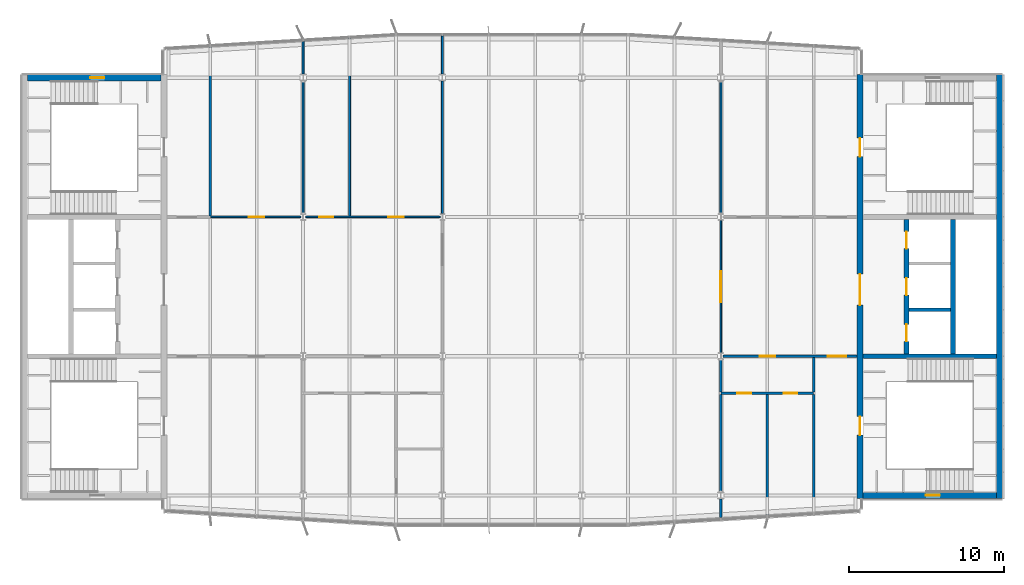
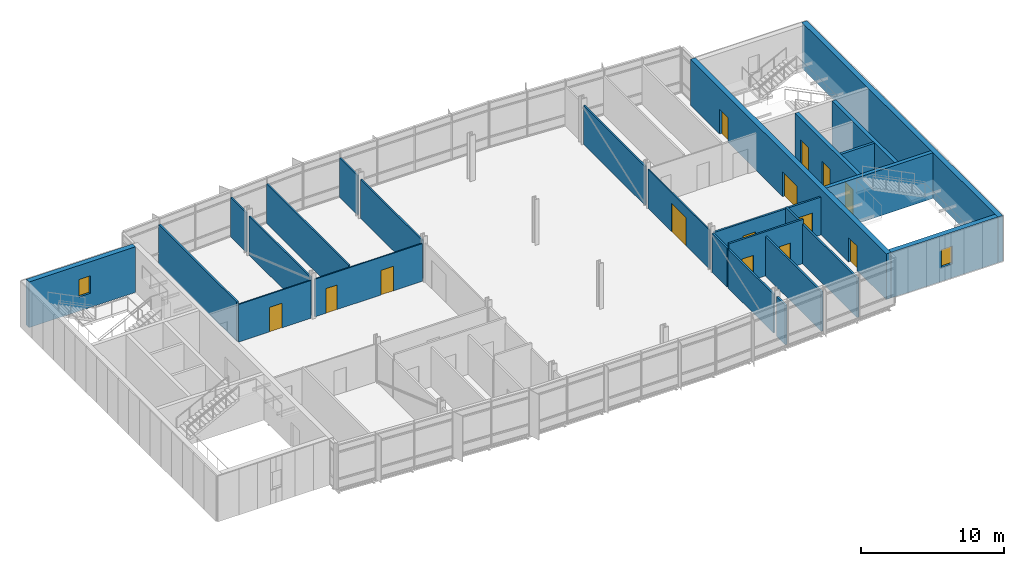
# One storey, part 15 of 20: 26 walls, 14 doors, 2 windows, 16 openings.
"""IFC4 building model written with IfcOpenShell, lengths in metres."""

from ifc_helpers import new_model, si_unit, direction, frame, frame_2d, origin, place, context, subcontext, project, spatial, rectangle, extrude, material, layer, layer_set, type_object, element, fill, save


model = new_model("IFC4")

# Units and contexts
model_context = context("Model", 3, precision=1e-05, world=origin(), true_north=direction((0.0, 1.0)))
body_context = subcontext(model_context, "Body", "Model", "MODEL_VIEW")
ifc_project = project(units=[si_unit("LENGTHUNIT", "METRE"), si_unit("AREAUNIT", "SQUARE_METRE"), si_unit("VOLUMEUNIT", "CUBIC_METRE"), si_unit("PLANEANGLEUNIT", "RADIAN"), si_unit("MASSUNIT", "GRAM", prefix="KILO")], contexts=[model_context])

# Site, building, storey
site_placement = place(None, origin())
site = spatial("IfcSite", under=ifc_project, at=site_placement, CompositionType="ELEMENT")
building_placement = place(site_placement, origin())
building = spatial("IfcBuilding", under=site, at=building_placement, Name="Azimuth Sports and Learning Centre", CompositionType="ELEMENT")
storey_placement = place(building_placement, frame((0.0, 0.0, 44.10009765625)))
storey = spatial("IfcBuildingStorey", under=building, at=storey_placement, Name="L09", CompositionType="ELEMENT", Elevation=44.10009765625)

# Wall
ifc_material_1 = material(Name="Dense masonry blockwork", Category="masonry")
ifc_layer_1 = layer(ifc_material_1, 0.199951171875)
ifc_layer_set_1 = layer_set([ifc_layer_1], Name="Dense masonry blockwork")
wall_type_1 = type_object("IfcWallType", Name="Blockwork wall 200 EI 120", PredefinedType="SOLIDWALL", material=ifc_layer_set_1)
wall_1_placement = place(storey_placement, frame((111.14990234375, 102.0, 0.0), z_axis=(0.0, 0.0, 1.0), x_axis=(1.0, 0.0, 0.0)))
element("IfcWall", 1, at=wall_1_placement, inside=storey, type_object=wall_type_1, Name="SD-E-1-L09", PredefinedType="SOLIDWALL", context=body_context, shape_type="SweptSolid", body=[
    extrude(rectangle(XDim=2.7001953125, YDim=0.199951171875, at=frame_2d((1.35009765625, 0.0))), origin(), (0.0, 0.0, 1.0), 3.89990234375),
])

# Wall, opening, door
ifc_material_2 = material(Name="Gypsum board on steel studs", Category="steel")
ifc_layer_2 = layer(ifc_material_2, 0.10009765625)
ifc_layer_set_2 = layer_set([ifc_layer_2], Name="Gypsum board on steel studs")
wall_type_2 = type_object("IfcWallType", Name="Partition 100 EI 30", PredefinedType="PARTITIONING", material=ifc_layer_set_2)
wall_2_placement = place(storey_placement, frame((66.0, 108.0, 0.0), z_axis=(0.0, 0.0, 1.0), x_axis=(1.0, 0.0, 0.0)))
wall_2 = element("IfcWall", 2, at=wall_2_placement, inside=storey, type_object=wall_type_2, Name="Partition Group Study Room 09.17 / Librarian Office 09.18", PredefinedType="PARTITIONING", context=body_context, shape_type="SweptSolid", body=[
    extrude(rectangle(XDim=5.846435546875, YDim=0.10009765625, at=frame_2d((2.92333984375, 0.0))), origin(), (0.0, 0.0, 1.0), 3.219970703125),
])
opening_1_placement = place(wall_2_placement, frame((2.5, 0.0, 0.0)))
opening_1 = element("IfcOpeningElement", 3, at=opening_1_placement, cuts=wall_2, Name="Opening D09-020", PredefinedType="OPENING", context=body_context, shape_type="SweptSolid", body=[
    extrude(rectangle(XDim=1.0, YDim=2.10009765625, at=frame_2d((0.5, 1.050048828125))), frame((0.0, 0.06103515625, 0.0), z_axis=(0.0, -1.0, 0.0), x_axis=(1.0, 0.0, 0.0)), (0.0, 0.0, 1.0), 0.1220703125),
])
ifc_material_3 = material(Name="Painted steel door set", Category="steel")
door_type_1 = type_object("IfcDoorType", Name="Fire door FD30S 1000 x 2100", OperationType="NOTDEFINED", PredefinedType="DOOR", material=ifc_material_3)
door_1_placement = place(opening_1_placement, origin())
door_1 = element("IfcDoor", 4, at=door_1_placement, inside=storey, type_object=door_type_1, Name="Door Group Study Room 09.17 / Learning Street West", OperationType="SINGLE_SWING_RIGHT", OverallHeight=2.10009765625, OverallWidth=1.0, PredefinedType="DOOR", context=body_context, shape_type="SweptSolid", body=[
    extrude(rectangle(XDim=1.0, YDim=2.10009765625, at=frame_2d((0.5, 1.050048828125))), frame((0.0, 0.02490234375, 0.0), z_axis=(0.0, -1.0, 0.0), x_axis=(1.0, 0.0, 0.0)), (0.0, 0.0, 1.0), 0.050048828125),
])
fill(opening_1, door_1)

# Wall, openings, doors
wall_3_placement = place(storey_placement, frame((72.153564453125, 108.0, 0.0), z_axis=(0.0, 0.0, 1.0), x_axis=(1.0, 0.0, 0.0)))
wall_3 = element("IfcWall", 5, at=wall_3_placement, inside=storey, type_object=wall_type_2, Name="Partition Group Study Room 09.17 / Librarian Office 09.18", PredefinedType="PARTITIONING", context=body_context, shape_type="SweptSolid", body=[
    extrude(rectangle(XDim=8.69287109375, YDim=0.10009765625, at=frame_2d((4.346435546875, 0.0))), origin(), (0.0, 0.0, 1.0), 3.219970703125),
])
opening_2_placement = place(wall_3_placement, frame((0.896484375, 0.0, 0.0)))
opening_2 = element("IfcOpeningElement", 6, at=opening_2_placement, cuts=wall_3, Name="Opening D09-021", PredefinedType="OPENING", context=body_context, shape_type="SweptSolid", body=[
    extrude(rectangle(XDim=0.89990234375, YDim=2.10009765625, at=frame_2d((0.449951171875, 1.050048828125))), frame((0.0, 0.06103515625, 0.0), z_axis=(0.0, -1.0, 0.0), x_axis=(1.0, 0.0, 0.0)), (0.0, 0.0, 1.0), 0.1220703125),
])
opening_3_placement = place(wall_3_placement, frame((5.346435546875, 0.0, 0.0)))
opening_3 = element("IfcOpeningElement", 7, at=opening_3_placement, cuts=wall_3, Name="Opening D09-022", PredefinedType="OPENING", context=body_context, shape_type="SweptSolid", body=[
    extrude(rectangle(XDim=1.0, YDim=2.10009765625, at=frame_2d((0.5, 1.050048828125))), frame((0.0, 0.06103515625, 0.0), z_axis=(0.0, -1.0, 0.0), x_axis=(1.0, 0.0, 0.0)), (0.0, 0.0, 1.0), 0.1220703125),
])
door_2_placement = place(opening_3_placement, origin())
door_2 = element("IfcDoor", 8, at=door_2_placement, inside=storey, type_object=door_type_1, Name="Door Study Room 09.19 / Learning Street West", OperationType="SINGLE_SWING_RIGHT", OverallHeight=2.10009765625, OverallWidth=1.0, PredefinedType="DOOR", context=body_context, shape_type="SweptSolid", body=[
    extrude(rectangle(XDim=1.0, YDim=2.10009765625, at=frame_2d((0.5, 1.050048828125))), frame((0.0, 0.02490234375, 0.0), z_axis=(0.0, -1.0, 0.0), x_axis=(1.0, 0.0, 0.0)), (0.0, 0.0, 1.0), 0.050048828125),
])
fill(opening_3, door_2)
ifc_material_4 = material(Name="Painted steel door set", Category="steel")
door_type_2 = type_object("IfcDoorType", Name="Fire door FD30S 900 x 2100", OperationType="NOTDEFINED", PredefinedType="DOOR", material=ifc_material_4)
door_3_placement = place(opening_2_placement, origin())
door_3 = element("IfcDoor", 9, at=door_3_placement, inside=storey, type_object=door_type_2, Name="Door Librarian Office 09.18 / Learning Street West", OperationType="SINGLE_SWING_LEFT", OverallHeight=2.10009765625, OverallWidth=0.89990234375, PredefinedType="DOOR", context=body_context, shape_type="SweptSolid", body=[
    extrude(rectangle(XDim=0.89990234375, YDim=2.10009765625, at=frame_2d((0.449951171875, 1.050048828125))), frame((0.0, 0.02490234375, 0.0), z_axis=(0.0, -1.0, 0.0), x_axis=(1.0, 0.0, 0.0)), (0.0, 0.0, 1.0), 0.050048828125),
])
fill(opening_2, door_3)

# Wall, opening, door
wall_4_placement = place(storey_placement, frame((99.0, 99.216064453125, 0.0), z_axis=(0.0, 0.0, 1.0), x_axis=(0.0, 1.0, 0.0)))
wall_4 = element("IfcWall", 10, at=wall_4_placement, inside=storey, type_object=wall_type_2, Name="Partition Library 09.13 / Learning Street East", PredefinedType="PARTITIONING", context=body_context, shape_type="SweptSolid", body=[
    extrude(rectangle(XDim=8.56787109375, YDim=0.10009765625, at=frame_2d((4.283935546875, 0.0))), origin(), (0.0, 0.0, 1.0), 3.31982421875),
])
opening_4_placement = place(wall_4_placement, frame((3.283935546875, 0.0, 0.0)))
opening_4 = element("IfcOpeningElement", 11, at=opening_4_placement, cuts=wall_4, Name="Opening D09-018", PredefinedType="OPENING", context=body_context, shape_type="SweptSolid", body=[
    extrude(rectangle(XDim=2.0, YDim=2.39990234375, at=frame_2d((1.0, 1.199951171875))), frame((0.0, 0.06103515625, 0.0), z_axis=(0.0, -1.0, 0.0), x_axis=(1.0, 0.0, 0.0)), (0.0, 0.0, 1.0), 0.1220703125),
])
ifc_material_5 = material(Name="Painted steel door set", Category="steel")
door_type_3 = type_object("IfcDoorType", Name="Fire door FD30S 2000 x 2400 double leaf", OperationType="DOUBLE_DOOR_SINGLE_SWING", PredefinedType="DOOR", material=ifc_material_5)
door_4_placement = place(opening_4_placement, origin())
door_4 = element("IfcDoor", 12, at=door_4_placement, inside=storey, type_object=door_type_3, Name="Door Library 09.13 / Learning Street East", OperationType="DOUBLE_DOOR_SINGLE_SWING", OverallHeight=2.39990234375, OverallWidth=2.0, PredefinedType="DOOR", context=body_context, shape_type="SweptSolid", body=[
    extrude(rectangle(XDim=2.0, YDim=2.39990234375, at=frame_2d((1.0, 1.199951171875))), frame((0.0, 0.02490234375, 0.0), z_axis=(0.0, -1.0, 0.0), x_axis=(1.0, 0.0, 0.0)), (0.0, 0.0, 1.0), 0.050048828125),
])
fill(opening_4, door_4)

# Walls
ifc_material_6 = material(Name="Gypsum board on steel studs, acoustic", Category="steel")
ifc_layer_3 = layer(ifc_material_6, 0.125)
ifc_layer_set_3 = layer_set([ifc_layer_3], Name="Gypsum board on steel studs, acoustic")
wall_type_3 = type_object("IfcWallType", Name="Partition 125 EI 60", PredefinedType="PARTITIONING", material=ifc_layer_set_3)
wall_5_placement = place(storey_placement, frame((72.0, 108.216064453125, 0.0), z_axis=(0.0, 0.0, 1.0), x_axis=(0.0, 1.0, 0.0)))
element("IfcWall", 13, at=wall_5_placement, inside=storey, type_object=wall_type_3, Name="Partition Group Study Room 09.17 / Librarian Office 09.18", PredefinedType="PARTITIONING", context=body_context, shape_type="SweptSolid", body=[
    extrude(rectangle(XDim=8.556396484375, YDim=0.125, at=frame_2d((4.2783203125, 0.0))), origin(), (0.0, 0.0, 1.0), 3.31982421875),
])
wall_6_placement = place(storey_placement, frame((72.0, 117.2275390625, 0.0), z_axis=(0.0, 0.0, 1.0), x_axis=(0.0, 1.0, 0.0)))
element("IfcWall", 14, at=wall_6_placement, inside=storey, type_object=wall_type_3, Name="Partition Group Study Room 09.17 / Librarian Office 09.18", PredefinedType="PARTITIONING", context=body_context, shape_type="SweptSolid", body=[
    extrude(rectangle(XDim=2.112548828125, YDim=0.125, at=frame_2d((1.05615234375, 0.0))), origin(), (0.0, 0.0, 1.0), 3.369873046875),
])
wall_7_placement = place(storey_placement, frame((75.0, 108.050048828125, 0.0), z_axis=(0.0, 0.0, 1.0), x_axis=(0.0, 1.0, 0.0)))
element("IfcWall", 15, at=wall_7_placement, inside=storey, type_object=wall_type_3, Name="Partition Librarian Office 09.18 / Study Room 09.19", PredefinedType="PARTITIONING", context=body_context, shape_type="SweptSolid", body=[
    extrude(rectangle(XDim=11.469970703125, YDim=0.125, at=frame_2d((5.73486328125, 0.0))), origin(), (0.0, 0.0, 1.0), 3.369873046875),
])
wall_8_placement = place(storey_placement, frame((81.0, 108.216064453125, 0.0), z_axis=(0.0, 0.0, 1.0), x_axis=(0.0, 1.0, 0.0)))
element("IfcWall", 16, at=wall_8_placement, inside=storey, type_object=wall_type_3, Name="Partition Library 09.13 / Study Room 09.19", PredefinedType="PARTITIONING", context=body_context, shape_type="SweptSolid", body=[
    extrude(rectangle(XDim=8.556396484375, YDim=0.125, at=frame_2d((4.2783203125, 0.0))), origin(), (0.0, 0.0, 1.0), 3.31982421875),
])
wall_9_placement = place(storey_placement, frame((81.0, 117.2275390625, 0.0), z_axis=(0.0, 0.0, 1.0), x_axis=(0.0, 1.0, 0.0)))
element("IfcWall", 17, at=wall_9_placement, inside=storey, type_object=wall_type_3, Name="Partition Library 09.13 / Study Room 09.19", PredefinedType="PARTITIONING", context=body_context, shape_type="SweptSolid", body=[
    extrude(rectangle(XDim=2.472412109375, YDim=0.125, at=frame_2d((1.236328125, 0.0))), origin(), (0.0, 0.0, 1.0), 3.369873046875),
])
wall_10_placement = place(storey_placement, frame((99.0, 108.216064453125, 0.0), z_axis=(0.0, 0.0, 1.0), x_axis=(0.0, 1.0, 0.0)))
element("IfcWall", 18, at=wall_10_placement, inside=storey, type_object=wall_type_3, Name="Partition Library 09.13 / Archive Room 09.20", PredefinedType="PARTITIONING", context=body_context, shape_type="SweptSolid", body=[
    extrude(rectangle(XDim=8.556396484375, YDim=0.125, at=frame_2d((4.2783203125, 0.0))), origin(), (0.0, 0.0, 1.0), 3.31982421875),
])

# Wall, openings, doors
ifc_material_7 = material(Name="Lightweight blockwork, rendered", Category="masonry")
ifc_layer_4 = layer(ifc_material_7, 0.14990234375)
ifc_layer_set_4 = layer_set([ifc_layer_4], Name="Lightweight blockwork, rendered")
wall_type_4 = type_object("IfcWallType", Name="Partition 150 EI 60", PredefinedType="PARTITIONING", material=ifc_layer_set_4)
wall_11_placement = place(storey_placement, frame((99.0, 96.60009765625, 0.0), z_axis=(0.0, 0.0, 1.0), x_axis=(1.0, 0.0, 0.0)))
wall_11 = element("IfcWall", 19, at=wall_11_placement, inside=storey, type_object=wall_type_4, Name="Partition WC Lobby 09.14 / Men WC 09.15", PredefinedType="PARTITIONING", context=body_context, shape_type="SweptSolid", body=[
    extrude(rectangle(XDim=6.0, YDim=0.14990234375, at=frame_2d((3.0, 0.0))), origin(), (0.0, 0.0, 1.0), 3.77001953125),
])
opening_5_placement = place(wall_11_placement, frame((1.050048828125, 0.0, 0.0)))
opening_5 = element("IfcOpeningElement", 20, at=opening_5_placement, cuts=wall_11, Name="Opening D09-029", PredefinedType="OPENING", context=body_context, shape_type="SweptSolid", body=[
    extrude(rectangle(XDim=0.89990234375, YDim=2.10009765625, at=frame_2d((0.449951171875, 1.050048828125))), frame((0.0, 0.0859375, 0.0), z_axis=(0.0, -1.0, 0.0), x_axis=(1.0, 0.0, 0.0)), (0.0, 0.0, 1.0), 0.171875),
])
opening_6_placement = place(wall_11_placement, frame((4.050048828125, 0.0, 0.0)))
opening_6 = element("IfcOpeningElement", 21, at=opening_6_placement, cuts=wall_11, Name="Opening D09-030", PredefinedType="OPENING", context=body_context, shape_type="SweptSolid", body=[
    extrude(rectangle(XDim=0.89990234375, YDim=2.10009765625, at=frame_2d((0.449951171875, 1.050048828125))), frame((0.0, 0.0859375, 0.0), z_axis=(0.0, -1.0, 0.0), x_axis=(1.0, 0.0, 0.0)), (0.0, 0.0, 1.0), 0.171875),
])
ifc_material_8 = material(Name="Painted steel door set", Category="steel")
door_type_4 = type_object("IfcDoorType", Name="Fire door FD60 900 x 2100", OperationType="NOTDEFINED", PredefinedType="DOOR", material=ifc_material_8)
door_5_placement = place(opening_5_placement, origin())
door_5 = element("IfcDoor", 22, at=door_5_placement, inside=storey, type_object=door_type_4, Name="Door WC Lobby 09.14 / Men WC 09.15", OperationType="SINGLE_SWING_LEFT", OverallHeight=2.10009765625, OverallWidth=0.89990234375, PredefinedType="DOOR", context=body_context, shape_type="SweptSolid", body=[
    extrude(rectangle(XDim=0.89990234375, YDim=2.10009765625, at=frame_2d((0.449951171875, 1.050048828125))), frame((0.0, 0.02490234375, 0.0), z_axis=(0.0, -1.0, 0.0), x_axis=(1.0, 0.0, 0.0)), (0.0, 0.0, 1.0), 0.050048828125),
])
fill(opening_5, door_5)
door_6_placement = place(opening_6_placement, origin())
door_6 = element("IfcDoor", 23, at=door_6_placement, inside=storey, type_object=door_type_4, Name="Door WC Lobby 09.14 / Women WC 09.16", OperationType="SINGLE_SWING_RIGHT", OverallHeight=2.10009765625, OverallWidth=0.89990234375, PredefinedType="DOOR", context=body_context, shape_type="SweptSolid", body=[
    extrude(rectangle(XDim=0.89990234375, YDim=2.10009765625, at=frame_2d((0.449951171875, 1.050048828125))), frame((0.0, 0.02490234375, 0.0), z_axis=(0.0, -1.0, 0.0), x_axis=(1.0, 0.0, 0.0)), (0.0, 0.0, 1.0), 0.050048828125),
])
fill(opening_6, door_6)

wall_12_placement = place(storey_placement, frame((99.153564453125, 99.0, 0.0), z_axis=(0.0, 0.0, 1.0), x_axis=(1.0, 0.0, 0.0)))
wall_12 = element("IfcWall", 24, at=wall_12_placement, inside=storey, type_object=wall_type_4, Name="Partition Stair Lobby E1 09.03 / WC Lobby 09.14", PredefinedType="PARTITIONING", context=body_context, shape_type="SweptSolid", body=[
    extrude(rectangle(XDim=8.646484375, YDim=0.14990234375, at=frame_2d((4.3232421875, 0.0))), origin(), (0.0, 0.0, 1.0), 3.219970703125),
])
opening_7_placement = place(wall_12_placement, frame((6.74658203125, 0.0, 0.0)))
opening_7 = element("IfcOpeningElement", 25, at=opening_7_placement, cuts=wall_12, Name="Opening D09-013", PredefinedType="OPENING", context=body_context, shape_type="SweptSolid", body=[
    extrude(rectangle(XDim=1.199951171875, YDim=2.10009765625, at=frame_2d((0.60009765625, 1.050048828125))), frame((0.0, 0.0859375, 0.0), z_axis=(0.0, -1.0, 0.0), x_axis=(1.0, 0.0, 0.0)), (0.0, 0.0, 1.0), 0.171875),
])
opening_8_placement = place(wall_12_placement, frame((2.346435546875, 0.0, 0.0)))
opening_8 = element("IfcOpeningElement", 26, at=opening_8_placement, cuts=wall_12, Name="Opening D09-019", PredefinedType="OPENING", context=body_context, shape_type="SweptSolid", body=[
    extrude(rectangle(XDim=1.0, YDim=2.10009765625, at=frame_2d((0.5, 1.050048828125))), frame((0.0, 0.0859375, 0.0), z_axis=(0.0, -1.0, 0.0), x_axis=(1.0, 0.0, 0.0)), (0.0, 0.0, 1.0), 0.171875),
])
ifc_material_9 = material(Name="Painted steel door set", Category="steel")
door_type_5 = type_object("IfcDoorType", Name="Fire door FD60 1000 x 2100", OperationType="NOTDEFINED", PredefinedType="DOOR", material=ifc_material_9)
door_7_placement = place(opening_8_placement, frame((1.0, 0.0, 0.0), z_axis=(0.0, 0.0, 1.0), x_axis=(-1.0, 0.0, 0.0)))
door_7 = element("IfcDoor", 27, at=door_7_placement, inside=storey, type_object=door_type_5, Name="Door WC Lobby 09.14 / Learning Street East", OperationType="SINGLE_SWING_RIGHT", OverallHeight=2.10009765625, OverallWidth=1.0, PredefinedType="DOOR", context=body_context, shape_type="SweptSolid", body=[
    extrude(rectangle(XDim=1.0, YDim=2.10009765625, at=frame_2d((0.5, 1.050048828125))), frame((0.0, 0.02490234375, 0.0), z_axis=(0.0, -1.0, 0.0), x_axis=(1.0, 0.0, 0.0)), (0.0, 0.0, 1.0), 0.050048828125),
])
fill(opening_8, door_7)
ifc_material_10 = material(Name="Painted steel door set", Category="steel")
door_type_6 = type_object("IfcDoorType", Name="Fire door FD60 1200 x 2100", OperationType="NOTDEFINED", PredefinedType="DOOR", material=ifc_material_10)
door_8_placement = place(opening_7_placement, frame((1.199951171875, 0.0, 0.0), z_axis=(0.0, 0.0, 1.0), x_axis=(-1.0, 0.0, 0.0)))
door_8 = element("IfcDoor", 28, at=door_8_placement, inside=storey, type_object=door_type_6, Name="Door Stair Lobby E1 09.03 / Learning Street East", OperationType="SINGLE_SWING_LEFT", OverallHeight=2.10009765625, OverallWidth=1.199951171875, PredefinedType="DOOR", context=body_context, shape_type="SweptSolid", body=[
    extrude(rectangle(XDim=1.199951171875, YDim=2.10009765625, at=frame_2d((0.60009765625, 1.050048828125))), frame((0.0, 0.02490234375, 0.0), z_axis=(0.0, -1.0, 0.0), x_axis=(1.0, 0.0, 0.0)), (0.0, 0.0, 1.0), 0.050048828125),
])
fill(opening_7, door_8)

# Walls
wall_13_placement = place(storey_placement, frame((66.0, 108.074951171875, 0.0), z_axis=(0.0, 0.0, 1.0), x_axis=(0.0, 1.0, 0.0)))
element("IfcWall", 29, at=wall_13_placement, inside=storey, type_object=wall_type_4, Name="Partition Stair Lobby W2 09.02 / Group Study Room 09.17", PredefinedType="PARTITIONING", context=body_context, shape_type="SweptSolid", body=[
    extrude(rectangle(XDim=10.905029296875, YDim=0.14990234375, at=frame_2d((5.45263671875, 0.0))), origin(), (0.0, 0.0, 1.0), 3.369873046875),
])
wall_14_placement = place(storey_placement, frame((99.0, 88.56005859375, 0.0), z_axis=(0.0, 0.0, 1.0), x_axis=(0.0, 1.0, 0.0)))
element("IfcWall", 30, at=wall_14_placement, inside=storey, type_object=wall_type_4, Name="Partition Library 09.13 / WC Lobby 09.14", PredefinedType="PARTITIONING", context=body_context, shape_type="SweptSolid", body=[
    extrude(rectangle(XDim=1.21240234375, YDim=0.14990234375, at=frame_2d((0.606201171875, 0.0))), origin(), (0.0, 0.0, 1.0), 3.369873046875),
])
wall_15_placement = place(storey_placement, frame((99.0, 90.2275390625, 0.0), z_axis=(0.0, 0.0, 1.0), x_axis=(0.0, 1.0, 0.0)))
element("IfcWall", 31, at=wall_15_placement, inside=storey, type_object=wall_type_4, Name="Partition Library 09.13 / WC Lobby 09.14", PredefinedType="PARTITIONING", context=body_context, shape_type="SweptSolid", body=[
    extrude(rectangle(XDim=6.29736328125, YDim=0.14990234375, at=frame_2d((3.148681640625, 0.0))), origin(), (0.0, 0.0, 1.0), 3.31982421875),
])
wall_16_placement = place(storey_placement, frame((99.0, 96.675048828125, 0.0), z_axis=(0.0, 0.0, 1.0), x_axis=(0.0, 1.0, 0.0)))
element("IfcWall", 32, at=wall_16_placement, inside=storey, type_object=wall_type_4, Name="Partition Library 09.13 / WC Lobby 09.14", PredefinedType="PARTITIONING", context=body_context, shape_type="SweptSolid", body=[
    extrude(rectangle(XDim=2.10888671875, YDim=0.14990234375, at=frame_2d((1.054443359375, 0.0))), origin(), (0.0, 0.0, 1.0), 3.31982421875),
])
wall_17_placement = place(storey_placement, frame((102.0, 88.739990234375, 0.0), z_axis=(0.0, 0.0, 1.0), x_axis=(0.0, 1.0, 0.0)))
element("IfcWall", 33, at=wall_17_placement, inside=storey, type_object=wall_type_4, Name="Partition Men WC 09.15 / Women WC 09.16", PredefinedType="PARTITIONING", context=body_context, shape_type="SweptSolid", body=[
    extrude(rectangle(XDim=7.784912109375, YDim=0.14990234375, at=frame_2d((3.892578125, 0.0))), origin(), (0.0, 0.0, 1.0), 3.369873046875),
])
wall_18_placement = place(storey_placement, frame((105.0, 88.919921875, 0.0), z_axis=(0.0, 0.0, 1.0), x_axis=(0.0, 1.0, 0.0)))
element("IfcWall", 34, at=wall_18_placement, inside=storey, type_object=wall_type_4, Name="Partition Stair Lobby E1 09.03 / WC Lobby 09.14", PredefinedType="PARTITIONING", context=body_context, shape_type="SweptSolid", body=[
    extrude(rectangle(XDim=7.60498046875, YDim=0.14990234375, at=frame_2d((3.802490234375, 0.0))), origin(), (0.0, 0.0, 1.0), 3.369873046875),
])
wall_19_placement = place(storey_placement, frame((105.0, 96.675048828125, 0.0), z_axis=(0.0, 0.0, 1.0), x_axis=(0.0, 1.0, 0.0)))
element("IfcWall", 35, at=wall_19_placement, inside=storey, type_object=wall_type_4, Name="Partition Stair Lobby E1 09.03 / WC Lobby 09.14", PredefinedType="PARTITIONING", context=body_context, shape_type="SweptSolid", body=[
    extrude(rectangle(XDim=2.25, YDim=0.14990234375, at=frame_2d((1.125, 0.0))), origin(), (0.0, 0.0, 1.0), 3.369873046875),
])
ifc_material_11 = material(Name="Concrete C40/50", Category="concrete")
ifc_layer_5 = layer(ifc_material_11, 0.300048828125)
ifc_layer_set_5 = layer_set([ifc_layer_5], Name="Concrete C40/50")
wall_type_5 = type_object("IfcWallType", Name="RC core wall 300", PredefinedType="SHEAR", material=ifc_layer_set_5)
wall_20_placement = place(storey_placement, frame((108.199951171875, 99.0, 0.0), z_axis=(0.0, 0.0, 1.0), x_axis=(1.0, 0.0, 0.0)))
element("IfcWall", 36, at=wall_20_placement, inside=storey, type_object=wall_type_5, Name="Core wall E D1 L09", PredefinedType="SHEAR", context=body_context, shape_type="SweptSolid", body=[
    extrude(rectangle(XDim=8.60009765625, YDim=0.300048828125, at=frame_2d((4.300048828125, 0.0))), origin(), (0.0, 0.0, 1.0), 3.89990234375),
])

# Wall, openings, doors
wall_21_placement = place(storey_placement, frame((111.0, 99.14990234375, 0.0), z_axis=(0.0, 0.0, 1.0), x_axis=(0.0, 1.0, 0.0)))
wall_21 = element("IfcWall", 37, at=wall_21_placement, inside=storey, type_object=wall_type_5, Name="Core wall E LB1 L09", PredefinedType="SHEAR", context=body_context, shape_type="SweptSolid", body=[
    extrude(rectangle(XDim=8.7001953125, YDim=0.300048828125, at=frame_2d((4.35009765625, 0.0))), origin(), (0.0, 0.0, 1.0), 3.89990234375),
])
opening_9_placement = place(wall_21_placement, frame((0.800048828125, 0.0, 0.0)))
opening_9 = element("IfcOpeningElement", 38, at=opening_9_placement, cuts=wall_21, Name="Opening D09-008", PredefinedType="OPENING", context=body_context, shape_type="SweptSolid", body=[
    extrude(rectangle(XDim=1.10009765625, YDim=2.10009765625, at=frame_2d((0.550048828125, 1.050048828125))), frame((0.0, 0.1611328125, 0.0), z_axis=(0.0, -1.0, 0.0), x_axis=(1.0, 0.0, 0.0)), (0.0, 0.0, 1.0), 0.322021484375),
])
opening_10_placement = place(wall_21_placement, frame((3.800048828125, 0.0, 0.0)))
opening_10 = element("IfcOpeningElement", 39, at=opening_10_placement, cuts=wall_21, Name="Opening D09-009", PredefinedType="OPENING", context=body_context, shape_type="SweptSolid", body=[
    extrude(rectangle(XDim=1.10009765625, YDim=2.10009765625, at=frame_2d((0.550048828125, 1.050048828125))), frame((0.0, 0.1611328125, 0.0), z_axis=(0.0, -1.0, 0.0), x_axis=(1.0, 0.0, 0.0)), (0.0, 0.0, 1.0), 0.322021484375),
])
opening_11_placement = place(wall_21_placement, frame((6.800048828125, 0.0, 0.0)))
opening_11 = element("IfcOpeningElement", 40, at=opening_11_placement, cuts=wall_21, Name="Opening D09-010", PredefinedType="OPENING", context=body_context, shape_type="SweptSolid", body=[
    extrude(rectangle(XDim=1.10009765625, YDim=2.10009765625, at=frame_2d((0.550048828125, 1.050048828125))), frame((0.0, 0.1611328125, 0.0), z_axis=(0.0, -1.0, 0.0), x_axis=(1.0, 0.0, 0.0)), (0.0, 0.0, 1.0), 0.322021484375),
])
ifc_material_12 = material(Name="Stainless steel", Category="steel")
door_type_7 = type_object("IfcDoorType", Name="Lift landing door 1100 x 2100", OperationType="DOUBLE_DOOR_SLIDING", PredefinedType="DOOR", material=ifc_material_12)
door_9_placement = place(opening_9_placement, origin())
door_9 = element("IfcDoor", 41, at=door_9_placement, inside=storey, type_object=door_type_7, Name="Landing door LE1 L09", OperationType="DOUBLE_DOOR_SLIDING", OverallHeight=2.10009765625, OverallWidth=1.10009765625, PredefinedType="DOOR", context=body_context, shape_type="SweptSolid", body=[
    extrude(rectangle(XDim=1.10009765625, YDim=2.10009765625, at=frame_2d((0.550048828125, 1.050048828125))), frame((0.0, 0.02490234375, 0.0), z_axis=(0.0, -1.0, 0.0), x_axis=(1.0, 0.0, 0.0)), (0.0, 0.0, 1.0), 0.050048828125),
])
fill(opening_9, door_9)
door_10_placement = place(opening_10_placement, origin())
door_10 = element("IfcDoor", 42, at=door_10_placement, inside=storey, type_object=door_type_7, Name="Landing door LE2 L09", OperationType="DOUBLE_DOOR_SLIDING", OverallHeight=2.10009765625, OverallWidth=1.10009765625, PredefinedType="DOOR", context=body_context, shape_type="SweptSolid", body=[
    extrude(rectangle(XDim=1.10009765625, YDim=2.10009765625, at=frame_2d((0.550048828125, 1.050048828125))), frame((0.0, 0.02490234375, 0.0), z_axis=(0.0, -1.0, 0.0), x_axis=(1.0, 0.0, 0.0)), (0.0, 0.0, 1.0), 0.050048828125),
])
fill(opening_10, door_10)
door_11_placement = place(opening_11_placement, origin())
door_11 = element("IfcDoor", 43, at=door_11_placement, inside=storey, type_object=door_type_7, Name="Landing door LE3 L09", OperationType="DOUBLE_DOOR_SLIDING", OverallHeight=2.10009765625, OverallWidth=1.10009765625, PredefinedType="DOOR", context=body_context, shape_type="SweptSolid", body=[
    extrude(rectangle(XDim=1.10009765625, YDim=2.10009765625, at=frame_2d((0.550048828125, 1.050048828125))), frame((0.0, 0.02490234375, 0.0), z_axis=(0.0, -1.0, 0.0), x_axis=(1.0, 0.0, 0.0)), (0.0, 0.0, 1.0), 0.050048828125),
])
fill(opening_11, door_11)

# Wall
wall_22_placement = place(storey_placement, frame((114.0, 99.14990234375, 0.0), z_axis=(0.0, 0.0, 1.0), x_axis=(0.0, 1.0, 0.0)))
element("IfcWall", 44, at=wall_22_placement, inside=storey, type_object=wall_type_5, Name="Core wall E LB2 L09", PredefinedType="SHEAR", context=body_context, shape_type="SweptSolid", body=[
    extrude(rectangle(XDim=8.7001953125, YDim=0.300048828125, at=frame_2d((4.35009765625, 0.0))), origin(), (0.0, 0.0, 1.0), 3.89990234375),
])

# Wall, openings, doors
ifc_material_13 = material(Name="Concrete C40/50", Category="concrete")
ifc_layer_6 = layer(ifc_material_13, 0.39990234375)
ifc_layer_set_6 = layer_set([ifc_layer_6], Name="Concrete C40/50")
wall_type_6 = type_object("IfcWallType", Name="RC core wall 400", PredefinedType="SHEAR", material=ifc_layer_set_6)
wall_23_placement = place(storey_placement, frame((108.0, 89.800048828125, 0.0), z_axis=(0.0, 0.0, 1.0), x_axis=(0.0, 1.0, 0.0)))
wall_23 = element("IfcWall", 45, at=wall_23_placement, inside=storey, type_object=wall_type_6, Name="Core wall E W L09", PredefinedType="SHEAR", context=body_context, shape_type="SweptSolid", body=[
    extrude(rectangle(XDim=27.39990234375, YDim=0.39990234375, at=frame_2d((13.699951171875, 0.0))), origin(), (0.0, 0.0, 1.0), 3.89990234375),
])
opening_12_placement = place(wall_23_placement, frame((4.10009765625, 0.0, 0.0)))
opening_12 = element("IfcOpeningElement", 46, at=opening_12_placement, cuts=wall_23, Name="Opening D09-003", PredefinedType="OPENING", context=body_context, shape_type="SweptSolid", body=[
    extrude(rectangle(XDim=1.199951171875, YDim=2.10009765625, at=frame_2d((0.60009765625, 1.050048828125))), frame((0.0, 0.2109375, 0.0), z_axis=(0.0, -1.0, 0.0), x_axis=(1.0, 0.0, 0.0)), (0.0, 0.0, 1.0), 0.421875),
])
opening_13_placement = place(wall_23_placement, frame((22.10009765625, 0.0, 0.0)))
opening_13 = element("IfcOpeningElement", 47, at=opening_13_placement, cuts=wall_23, Name="Opening D09-004", PredefinedType="OPENING", context=body_context, shape_type="SweptSolid", body=[
    extrude(rectangle(XDim=1.199951171875, YDim=2.10009765625, at=frame_2d((0.60009765625, 1.050048828125))), frame((0.0, 0.2109375, 0.0), z_axis=(0.0, -1.0, 0.0), x_axis=(1.0, 0.0, 0.0)), (0.0, 0.0, 1.0), 0.421875),
])
opening_14_placement = place(wall_23_placement, frame((12.5, 0.0, 0.0)))
opening_14 = element("IfcOpeningElement", 48, at=opening_14_placement, cuts=wall_23, Name="Opening D09-032", PredefinedType="OPENING", context=body_context, shape_type="SweptSolid", body=[
    extrude(rectangle(XDim=2.0, YDim=2.10009765625, at=frame_2d((1.0, 1.050048828125))), frame((0.0, 0.2109375, 0.0), z_axis=(0.0, -1.0, 0.0), x_axis=(1.0, 0.0, 0.0)), (0.0, 0.0, 1.0), 0.421875),
])
ifc_material_14 = material(Name="Painted steel door set", Category="steel")
door_type_8 = type_object("IfcDoorType", Name="Fire door FD120 2000 x 2100 double leaf", OperationType="DOUBLE_DOOR_SINGLE_SWING", PredefinedType="DOOR", material=ifc_material_14)
door_12_placement = place(opening_14_placement, frame((2.0, 0.0, 0.0), z_axis=(0.0, 0.0, 1.0), x_axis=(-1.0, 0.0, 0.0)))
door_12 = element("IfcDoor", 49, at=door_12_placement, inside=storey, type_object=door_type_8, Name="Door Lift Lobby E 09.06 / Learning Street East", OperationType="DOUBLE_DOOR_SINGLE_SWING", OverallHeight=2.10009765625, OverallWidth=2.0, PredefinedType="DOOR", context=body_context, shape_type="SweptSolid", body=[
    extrude(rectangle(XDim=2.0, YDim=2.10009765625, at=frame_2d((1.0, 1.050048828125))), frame((0.0, 0.02490234375, 0.0), z_axis=(0.0, -1.0, 0.0), x_axis=(1.0, 0.0, 0.0)), (0.0, 0.0, 1.0), 0.050048828125),
])
fill(opening_14, door_12)
ifc_material_15 = material(Name="Steel", Category="steel")
door_type_9 = type_object("IfcDoorType", Name="Stair fire door 1200 x 2100", OperationType="NOTDEFINED", PredefinedType="DOOR", material=ifc_material_15)
door_13_placement = place(opening_12_placement, frame((1.199951171875, 0.0, 0.0), z_axis=(0.0, 0.0, 1.0), x_axis=(-1.0, 0.0, 0.0)))
door_13 = element("IfcDoor", 50, at=door_13_placement, inside=storey, type_object=door_type_9, Name="Stair door E1 L09", OperationType="SINGLE_SWING_RIGHT", OverallHeight=2.10009765625, OverallWidth=1.199951171875, PredefinedType="DOOR", context=body_context, shape_type="SweptSolid", body=[
    extrude(rectangle(XDim=1.199951171875, YDim=2.10009765625, at=frame_2d((0.60009765625, 1.050048828125))), frame((0.0, 0.02490234375, 0.0), z_axis=(0.0, -1.0, 0.0), x_axis=(1.0, 0.0, 0.0)), (0.0, 0.0, 1.0), 0.050048828125),
])
fill(opening_12, door_13)
door_14_placement = place(opening_13_placement, frame((1.199951171875, 0.0, 0.0), z_axis=(0.0, 0.0, 1.0), x_axis=(-1.0, 0.0, 0.0)))
door_14 = element("IfcDoor", 51, at=door_14_placement, inside=storey, type_object=door_type_9, Name="Stair door E2 L09", OperationType="SINGLE_SWING_RIGHT", OverallHeight=2.10009765625, OverallWidth=1.199951171875, PredefinedType="DOOR", context=body_context, shape_type="SweptSolid", body=[
    extrude(rectangle(XDim=1.199951171875, YDim=2.10009765625, at=frame_2d((0.60009765625, 1.050048828125))), frame((0.0, 0.02490234375, 0.0), z_axis=(0.0, -1.0, 0.0), x_axis=(1.0, 0.0, 0.0)), (0.0, 0.0, 1.0), 0.050048828125),
])
fill(opening_13, door_14)

# Wall, opening, window
ifc_material_16 = material(Name="Concrete C40/50", Category="concrete")
ifc_layer_7 = layer(ifc_material_16, 0.39990234375)
ifc_layer_set_7 = layer_set([ifc_layer_7], Name="Concrete C40/50")
wall_type_7 = type_object("IfcWallType", Name="RC external core wall 400", PredefinedType="SHEAR", material=ifc_layer_set_7)
wall_24_placement = place(storey_placement, frame((54.199951171875, 117.0, 0.0), z_axis=(0.0, 0.0, 1.0), x_axis=(1.0, 0.0, 0.0)))
wall_24 = element("IfcWall", 52, at=wall_24_placement, inside=storey, type_object=wall_type_7, Name="Core wall W N L09", PredefinedType="SHEAR", context=body_context, shape_type="SweptSolid", body=[
    extrude(rectangle(XDim=8.60009765625, YDim=0.39990234375, at=frame_2d((4.300048828125, 0.0))), origin(), (0.0, 0.0, 1.0), 3.89990234375),
])
opening_15_placement = place(wall_24_placement, frame((4.050048828125, 0.0, 1.199951171875)))
opening_15 = element("IfcOpeningElement", 53, at=opening_15_placement, cuts=wall_24, Name="Opening W09-004", PredefinedType="OPENING", context=body_context, shape_type="SweptSolid", body=[
    extrude(rectangle(XDim=0.89990234375, YDim=1.5, at=frame_2d((0.449951171875, 0.75))), frame((0.0, 0.2109375, 0.0), z_axis=(0.0, -1.0, 0.0), x_axis=(1.0, 0.0, 0.0)), (0.0, 0.0, 1.0), 0.421875),
])
ifc_material_17 = material(Name="Aluminium and glass", Category="aluminium")
window_type = type_object("IfcWindowType", Name="Stair window tower core 900x1500", PartitioningType="SINGLE_PANEL", PredefinedType="WINDOW", material=ifc_material_17)
window_1_placement = place(opening_15_placement, origin())
window_1 = element("IfcWindow", 54, at=window_1_placement, inside=storey, type_object=window_type, Name="Window W09-004", OverallHeight=1.5, OverallWidth=0.89990234375, PartitioningType="SINGLE_PANEL", PredefinedType="WINDOW", context=body_context, shape_type="SweptSolid", body=[
    extrude(rectangle(XDim=0.89990234375, YDim=1.5, at=frame_2d((0.449951171875, 0.75))), frame((0.0, 0.030029296875, 0.0), z_axis=(0.0, -1.0, 0.0), x_axis=(1.0, 0.0, 0.0)), (0.0, 0.0, 1.0), 0.06005859375),
])
fill(opening_15, window_1)

wall_25_placement = place(storey_placement, frame((108.199951171875, 90.0, 0.0), z_axis=(0.0, 0.0, 1.0), x_axis=(1.0, 0.0, 0.0)))
wall_25 = element("IfcWall", 55, at=wall_25_placement, inside=storey, type_object=wall_type_7, Name="Core wall E S L09", PredefinedType="SHEAR", context=body_context, shape_type="SweptSolid", body=[
    extrude(rectangle(XDim=8.60009765625, YDim=0.39990234375, at=frame_2d((4.300048828125, 0.0))), origin(), (0.0, 0.0, 1.0), 3.89990234375),
])
opening_16_placement = place(wall_25_placement, frame((4.050048828125, 0.0, 1.199951171875)))
opening_16 = element("IfcOpeningElement", 56, at=opening_16_placement, cuts=wall_25, Name="Opening W09-002", PredefinedType="OPENING", context=body_context, shape_type="SweptSolid", body=[
    extrude(rectangle(XDim=0.89990234375, YDim=1.5, at=frame_2d((0.449951171875, 0.75))), frame((0.0, 0.2109375, 0.0), z_axis=(0.0, -1.0, 0.0), x_axis=(1.0, 0.0, 0.0)), (0.0, 0.0, 1.0), 0.421875),
])
window_2_placement = place(opening_16_placement, origin())
window_2 = element("IfcWindow", 57, at=window_2_placement, inside=storey, type_object=window_type, Name="Window W09-002", OverallHeight=1.5, OverallWidth=0.89990234375, PartitioningType="SINGLE_PANEL", PredefinedType="WINDOW", context=body_context, shape_type="SweptSolid", body=[
    extrude(rectangle(XDim=0.89990234375, YDim=1.5, at=frame_2d((0.449951171875, 0.75))), frame((0.0, 0.030029296875, 0.0), z_axis=(0.0, -1.0, 0.0), x_axis=(1.0, 0.0, 0.0)), (0.0, 0.0, 1.0), 0.06005859375),
])
fill(opening_16, window_2)

# Wall
wall_26_placement = place(storey_placement, frame((117.0, 89.800048828125, 0.0), z_axis=(0.0, 0.0, 1.0), x_axis=(0.0, 1.0, 0.0)))
element("IfcWall", 58, at=wall_26_placement, inside=storey, type_object=wall_type_7, Name="Core wall E E L09", PredefinedType="SHEAR", context=body_context, shape_type="SweptSolid", body=[
    extrude(rectangle(XDim=27.39990234375, YDim=0.39990234375, at=frame_2d((13.699951171875, 0.0))), origin(), (0.0, 0.0, 1.0), 3.89990234375),
])

save(model, "model.ifc")
